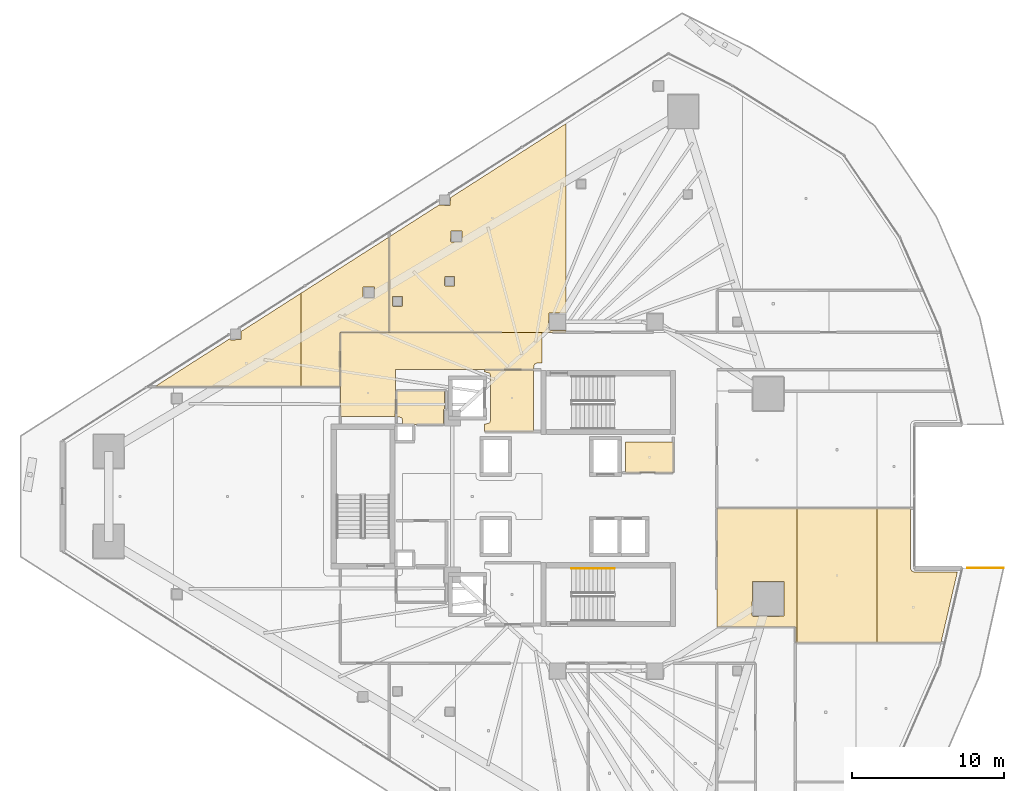
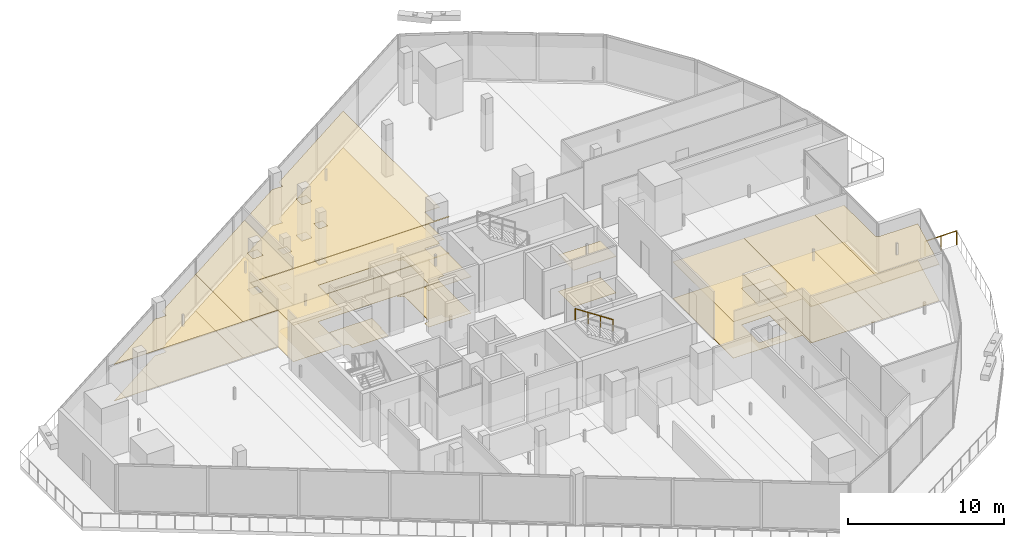
# One storey, part 34 of 36: 19 coverings, 2 railings.
"""IFC4 building model written with IfcOpenShell, lengths in metres."""

from ifc_helpers import new_model, si_unit, direction, frame, origin, origin_2d, place, context, subcontext, project, spatial, polyline, circle, outline, extrude, material, layer, layer_set, type_object, element, save


model = new_model("IFC4")

# Units and contexts
model_context = context("Model", 3, precision=1e-05, world=origin(), true_north=direction((0.0, 1.0)))
body_context = subcontext(model_context, "Body", "Model", "MODEL_VIEW")
ifc_project = project(units=[si_unit("LENGTHUNIT", "METRE"), si_unit("AREAUNIT", "SQUARE_METRE"), si_unit("VOLUMEUNIT", "CUBIC_METRE"), si_unit("PLANEANGLEUNIT", "RADIAN"), si_unit("MASSUNIT", "GRAM", prefix="KILO")], contexts=[model_context])

# Site, building, storey
site_placement = place(None, origin())
site = spatial("IfcSite", under=ifc_project, at=site_placement, CompositionType="ELEMENT")
building_placement = place(site_placement, origin())
building = spatial("IfcBuilding", under=site, at=building_placement, Name="Qorvath Tower", CompositionType="ELEMENT")
storey_placement = place(building_placement, frame((0.0, 0.0, 170.550048828125)))
storey = spatial("IfcBuildingStorey", under=building, at=storey_placement, Name="L39", CompositionType="ELEMENT", Elevation=170.550048828125)

# Coverings
ifc_material_1 = material(Name="Acoustic mineral fibre ceiling tile", Category="gypsum")
ifc_layer_1 = layer(ifc_material_1, 0.030029296875)
ifc_layer_set_1 = layer_set([ifc_layer_1], Name="COV-CEIL")
covering_type_1 = type_object("IfcCoveringType", Name="COV-CEIL", PredefinedType="CEILING", material=ifc_layer_set_1)
covering_1_placement = place(storey_placement, frame((0.0, 0.0, 2.849853515625)))
element("IfcCovering", 1, at=covering_1_placement, inside=storey, type_object=covering_type_1, Name="L39 Suspended Acoustic Ceiling 001", PredefinedType="CEILING", context=body_context, shape_type="SweptSolid", body=[
    extrude(outline(polyline([(-25.18994140625, 4.2548828125), (-25.18994140625, 8.294921875), (-28.375, 8.294921875), (-28.375, 8.159912109375), (-28.063232421875, 8.086669921875), (-27.989990234375, 7.909912109375), (-27.989990234375, 4.989990234375), (-28.063232421875, 4.813232421875), (-28.375, 4.739990234375), (-28.375, 4.2548828125), (-25.18994140625, 4.2548828125)])), origin(), (0.0, 0.0, 1.0), 0.030029296875),
])
covering_2_placement = place(storey_placement, frame((0.0, 0.0, 2.849853515625)))
element("IfcCovering", 2, at=covering_2_placement, inside=storey, type_object=covering_type_1, Name="L39 Suspended Acoustic Ceiling 003", PredefinedType="CEILING", context=body_context, shape_type="SweptSolid", body=[
    extrude(outline(polyline([(-16.0048828125, 3.56005859375), (-19.139892578125, 3.56005859375), (-19.139892578125, 1.56494140625), (-16.0048828125, 1.56494140625), (-16.0048828125, 3.56005859375)])), origin(), (0.0, 0.0, 1.0), 0.030029296875),
])
covering_3_placement = place(storey_placement, frame((0.0, 0.0, 2.849853515625)))
element("IfcCovering", 3, at=covering_3_placement, inside=storey, type_object=covering_type_1, Name="L39 Suspended Acoustic Ceiling 008", PredefinedType="CEILING", context=body_context, shape_type="SweptSolid", body=[
    extrude(outline(polyline([(-24.621826171875, 8.75), (-24.621826171875, 10.7451171875), (-37.844970703125, 10.7451171875), (-37.844970703125, 5.239990234375), (-34.2509765625, 5.239990234375), (-34.219970703125, 8.324951171875), (-25.18994140625, 8.324951171875), (-25.11669921875, 8.6767578125), (-24.93994140625, 8.75), (-24.621826171875, 8.75)])), origin(), (0.0, 0.0, 1.0), 0.030029296875),
])
covering_4_placement = place(storey_placement, frame((0.0, 0.0, 2.849853515625)))
element("IfcCovering", 4, at=covering_4_placement, inside=storey, type_object=covering_type_1, Name="L39 Suspended Acoustic Ceiling 010", PredefinedType="CEILING", context=body_context, shape_type="SweptSolid", body=[
    extrude(outline(polyline([(-23.052978515625, 10.762939453125), (-23.052978515625, 10.88232421875), (-24.125, 10.864990234375), (-24.18505859375, 10.925048828125), (-24.16748046875, 12.017333984375), (-23.052978515625, 12.017333984375), (-23.052978515625, 24.4482421875), (-30.631103515625, 19.5947265625), (-30.648681640625, 19.093017578125), (-31.39013671875, 19.108642578125), (-34.64501953125, 17.0283203125), (-34.64501953125, 10.762939453125), (-23.052978515625, 10.762939453125)]), holes=[polyline([(-30.60986328125, 16.734619140625), (-30.59228515625, 17.427001953125), (-29.857421875, 17.427001953125), (-29.857421875, 16.692138671875), (-30.5498046875, 16.674560546875), (-30.60986328125, 16.734619140625)]), polyline([(-31.01220703125, 13.849365234375), (-30.99462890625, 14.441650390625), (-30.35986328125, 14.441650390625), (-30.35986328125, 13.806884765625), (-30.9521484375, 13.789306640625), (-31.01220703125, 13.849365234375)]), polyline([(-34.439208984375, 12.517578125), (-34.421630859375, 13.10986328125), (-33.786865234375, 13.10986328125), (-33.786865234375, 12.47509765625), (-34.379150390625, 12.45751953125), (-34.439208984375, 12.517578125)])]), origin(), (0.0, 0.0, 1.0), 0.030029296875),
])
covering_5_placement = place(storey_placement, frame((0.0, 0.0, 2.849853515625)))
element("IfcCovering", 5, at=covering_5_placement, inside=storey, type_object=covering_type_1, Name="L39 Suspended Acoustic Ceiling 024", PredefinedType="CEILING", context=body_context, shape_type="SweptSolid", body=[
    extrude(outline(polyline([(-7.8798828125, -9.58837890625), (-7.8798828125, -0.7939453125), (-13.136962890625, -0.7939453125), (-13.136962890625, -8.56689453125), (-7.991943359375, -8.56689453125), (-7.987060546875, -9.58837890625), (-7.8798828125, -9.58837890625)]), holes=[polyline([(-10.830322265625, -7.8212890625), (-10.812744140625, -5.578857421875), (-8.727783203125, -5.578857421875), (-8.727783203125, -7.86376953125), (-10.770263671875, -7.88134765625), (-10.830322265625, -7.8212890625)])]), origin(), (0.0, 0.0, 1.0), 0.030029296875),
])
covering_6_placement = place(storey_placement, frame((0.0, 0.0, 2.849853515625)))
element("IfcCovering", 6, at=covering_6_placement, inside=storey, type_object=covering_type_1, Name="L39 Suspended Acoustic Ceiling 025", PredefinedType="CEILING", context=body_context, shape_type="SweptSolid", body=[
    extrude(outline(polyline([(-2.62255859375, -9.58837890625), (-2.62255859375, -0.7939453125), (-7.8798828125, -0.7939453125), (-7.8798828125, -9.58837890625), (-2.62255859375, -9.58837890625)])), origin(), (0.0, 0.0, 1.0), 0.030029296875),
])
covering_7_placement = place(storey_placement, frame((0.0, 0.0, 2.849853515625)))
element("IfcCovering", 7, at=covering_7_placement, inside=storey, type_object=covering_type_1, Name="L39 Suspended Acoustic Ceiling 026", PredefinedType="CEILING", context=body_context, shape_type="SweptSolid", body=[
    extrude(outline(polyline([(-0.3466796875, -4.904541015625), (-0.43408203125, -4.757568359375), (-0.438720703125, -0.7939453125), (-2.62255859375, -0.7939453125), (-2.62255859375, -9.58837890625), (1.5625, -9.58837890625), (2.634521484375, -4.9638671875), (-0.208251953125, -4.962646484375), (-0.3466796875, -4.904541015625)])), origin(), (0.0, 0.0, 1.0), 0.030029296875),
])
covering_8_placement = place(storey_placement, frame((0.0, 0.0, 2.849853515625)))
element("IfcCovering", 8, at=covering_8_placement, inside=storey, type_object=covering_type_1, Name="L39 Suspended Acoustic Ceiling 036", PredefinedType="CEILING", context=body_context, shape_type="SweptSolid", body=[
    extrude(outline(polyline([(-40.43115234375, 7.203125), (-40.43115234375, 13.330322265625), (-44.351318359375, 10.82470703125), (-44.368896484375, 10.284912109375), (-45.061279296875, 10.267333984375), (-45.121337890625, 10.33251953125), (-50.017578125, 7.203369140625), (-40.43115234375, 7.203125)])), origin(), (0.0, 0.0, 1.0), 0.030029296875),
])
covering_9_placement = place(storey_placement, frame((0.0, 0.0, 2.849853515625)))
element("IfcCovering", 9, at=covering_9_placement, inside=storey, type_object=covering_type_1, Name="L39 Suspended Acoustic Ceiling 037", PredefinedType="CEILING", context=body_context, shape_type="SweptSolid", body=[
    extrude(outline(polyline([(-34.6630859375, 10.762939453125), (-34.6630859375, 17.016845703125), (-40.43115234375, 13.330322265625), (-40.43115234375, 7.203125), (-37.863037109375, 7.202880859375), (-37.861572265625, 10.761474609375), (-34.6630859375, 10.762939453125)]), holes=[polyline([(-36.36572265625, 13.055908203125), (-36.34814453125, 13.748291015625), (-35.61328125, 13.748291015625), (-35.61328125, 13.013427734375), (-36.3056640625, 12.995849609375), (-36.36572265625, 13.055908203125)])]), origin(), (0.0, 0.0, 1.0), 0.030029296875),
])
ifc_material_2 = material(Name="Low-VOC modular carpet tile", Category="textile")
ifc_layer_2 = layer(ifc_material_2, 0.014892578125)
ifc_layer_set_2 = layer_set([ifc_layer_2], Name="COV-FLOOR-CPT")
covering_type_2 = type_object("IfcCoveringType", Name="COV-FLOOR-CPT", PredefinedType="FLOORING", material=ifc_layer_set_2)
covering_10_placement = place(storey_placement, origin())
element("IfcCovering", 10, at=covering_10_placement, inside=storey, type_object=covering_type_2, Name="L39 Floor Finish 003", PredefinedType="FLOORING", context=body_context, shape_type="SweptSolid", body=[
    extrude(outline(polyline([(-16.0048828125, 3.56005859375), (-19.139892578125, 3.56005859375), (-19.139892578125, 1.56494140625), (-16.0048828125, 1.56494140625), (-16.0048828125, 3.56005859375)])), origin(), (0.0, 0.0, 1.0), 0.014892578125),
])
covering_11_placement = place(storey_placement, origin())
element("IfcCovering", 11, at=covering_11_placement, inside=storey, type_object=covering_type_2, Name="L39 Floor Finish 010", PredefinedType="FLOORING", context=body_context, shape_type="SweptSolid", body=[
    extrude(outline(polyline([(-23.052978515625, 10.762939453125), (-23.052978515625, 10.88232421875), (-24.125, 10.864990234375), (-24.18505859375, 10.925048828125), (-24.16748046875, 12.017333984375), (-23.052978515625, 12.017333984375), (-23.052978515625, 24.4482421875), (-30.631103515625, 19.5947265625), (-30.648681640625, 19.093017578125), (-31.39013671875, 19.108642578125), (-34.64501953125, 17.0283203125), (-34.64501953125, 10.762939453125), (-23.052978515625, 10.762939453125)]), holes=[polyline([(-30.60986328125, 16.734619140625), (-30.59228515625, 17.427001953125), (-29.857421875, 17.427001953125), (-29.857421875, 16.692138671875), (-30.5498046875, 16.674560546875), (-30.60986328125, 16.734619140625)]), polyline([(-31.01220703125, 13.849365234375), (-30.99462890625, 14.441650390625), (-30.35986328125, 14.441650390625), (-30.35986328125, 13.806884765625), (-30.9521484375, 13.789306640625), (-31.01220703125, 13.849365234375)]), polyline([(-34.439208984375, 12.517578125), (-34.421630859375, 13.10986328125), (-33.786865234375, 13.10986328125), (-33.786865234375, 12.47509765625), (-34.379150390625, 12.45751953125), (-34.439208984375, 12.517578125)])]), origin(), (0.0, 0.0, 1.0), 0.014892578125),
])
covering_12_placement = place(storey_placement, origin())
element("IfcCovering", 12, at=covering_12_placement, inside=storey, type_object=covering_type_2, Name="L39 Floor Finish 024", PredefinedType="FLOORING", context=body_context, shape_type="SweptSolid", body=[
    extrude(outline(polyline([(-7.8798828125, -9.58837890625), (-7.8798828125, -0.7939453125), (-13.136962890625, -0.7939453125), (-13.136962890625, -8.56689453125), (-7.991943359375, -8.56689453125), (-7.987060546875, -9.58837890625), (-7.8798828125, -9.58837890625)]), holes=[polyline([(-10.830322265625, -7.8212890625), (-10.812744140625, -5.578857421875), (-8.727783203125, -5.578857421875), (-8.727783203125, -7.86376953125), (-10.770263671875, -7.88134765625), (-10.830322265625, -7.8212890625)])]), origin(), (0.0, 0.0, 1.0), 0.014892578125),
])
covering_13_placement = place(storey_placement, origin())
element("IfcCovering", 13, at=covering_13_placement, inside=storey, type_object=covering_type_2, Name="L39 Floor Finish 025", PredefinedType="FLOORING", context=body_context, shape_type="SweptSolid", body=[
    extrude(outline(polyline([(-2.62255859375, -9.58837890625), (-2.62255859375, -0.7939453125), (-7.8798828125, -0.7939453125), (-7.8798828125, -9.58837890625), (-2.62255859375, -9.58837890625)])), origin(), (0.0, 0.0, 1.0), 0.014892578125),
])
covering_14_placement = place(storey_placement, origin())
element("IfcCovering", 14, at=covering_14_placement, inside=storey, type_object=covering_type_2, Name="L39 Floor Finish 026", PredefinedType="FLOORING", context=body_context, shape_type="SweptSolid", body=[
    extrude(outline(polyline([(-0.3466796875, -4.904541015625), (-0.43408203125, -4.757568359375), (-0.438720703125, -0.7939453125), (-2.62255859375, -0.7939453125), (-2.62255859375, -9.58837890625), (1.5625, -9.58837890625), (2.634521484375, -4.9638671875), (-0.208251953125, -4.962646484375), (-0.3466796875, -4.904541015625)])), origin(), (0.0, 0.0, 1.0), 0.014892578125),
])
covering_15_placement = place(storey_placement, origin())
element("IfcCovering", 15, at=covering_15_placement, inside=storey, type_object=covering_type_2, Name="L39 Floor Finish 036", PredefinedType="FLOORING", context=body_context, shape_type="SweptSolid", body=[
    extrude(outline(polyline([(-40.43115234375, 7.203125), (-40.43115234375, 13.330322265625), (-44.351318359375, 10.82470703125), (-44.368896484375, 10.284912109375), (-45.061279296875, 10.267333984375), (-45.121337890625, 10.33251953125), (-50.017578125, 7.203369140625), (-40.43115234375, 7.203125)])), origin(), (0.0, 0.0, 1.0), 0.014892578125),
])
covering_16_placement = place(storey_placement, origin())
element("IfcCovering", 16, at=covering_16_placement, inside=storey, type_object=covering_type_2, Name="L39 Floor Finish 037", PredefinedType="FLOORING", context=body_context, shape_type="SweptSolid", body=[
    extrude(outline(polyline([(-34.6630859375, 10.762939453125), (-34.6630859375, 17.016845703125), (-40.43115234375, 13.330322265625), (-40.43115234375, 7.203125), (-37.863037109375, 7.202880859375), (-37.861572265625, 10.761474609375), (-34.6630859375, 10.762939453125)]), holes=[polyline([(-36.36572265625, 13.055908203125), (-36.34814453125, 13.748291015625), (-35.61328125, 13.748291015625), (-35.61328125, 13.013427734375), (-36.3056640625, 12.995849609375), (-36.36572265625, 13.055908203125)])]), origin(), (0.0, 0.0, 1.0), 0.014892578125),
])
ifc_material_3 = material(Name="Polished epoxy terrazzo flooring", Category="concrete")
ifc_layer_3 = layer(ifc_material_3, 0.02001953125)
ifc_layer_set_3 = layer_set([ifc_layer_3], Name="COV-FLOOR-TRZ")
covering_type_3 = type_object("IfcCoveringType", Name="COV-FLOOR-TRZ", PredefinedType="FLOORING", material=ifc_layer_set_3)
covering_17_placement = place(storey_placement, origin())
element("IfcCovering", 17, at=covering_17_placement, inside=storey, type_object=covering_type_3, Name="L39 Floor Finish 001", PredefinedType="FLOORING", context=body_context, shape_type="SweptSolid", body=[
    extrude(outline(polyline([(-25.18994140625, 4.2548828125), (-25.18994140625, 8.294921875), (-28.375, 8.294921875), (-28.375, 8.159912109375), (-28.063232421875, 8.086669921875), (-27.989990234375, 7.909912109375), (-27.989990234375, 4.989990234375), (-28.063232421875, 4.813232421875), (-28.375, 4.739990234375), (-28.375, 4.2548828125), (-25.18994140625, 4.2548828125)])), origin(), (0.0, 0.0, 1.0), 0.014892578125),
])
covering_18_placement = place(storey_placement, origin())
element("IfcCovering", 18, at=covering_18_placement, inside=storey, type_object=covering_type_3, Name="L39 Floor Finish 004", PredefinedType="FLOORING", context=body_context, shape_type="SweptSolid", body=[
    extrude(outline(polyline([(-31.010009765625, 6.945068359375), (-34.175048828125, 6.945068359375), (-34.175048828125, 5.239990234375), (-33.833251953125, 5.166748046875), (-33.760009765625, 4.989990234375), (-33.760009765625, 4.705078125), (-31.0849609375, 4.705078125), (-31.0849609375, 5.675048828125), (-31.02490234375, 5.735107421875), (-31.010009765625, 6.945068359375)])), origin(), (0.0, 0.0, 1.0), 0.014892578125),
])
covering_19_placement = place(storey_placement, origin())
element("IfcCovering", 19, at=covering_19_placement, inside=storey, type_object=covering_type_3, Name="L39 Floor Finish 008", PredefinedType="FLOORING", context=body_context, shape_type="SweptSolid", body=[
    extrude(outline(polyline([(-24.621826171875, 8.75), (-24.621826171875, 10.7451171875), (-37.844970703125, 10.7451171875), (-37.844970703125, 5.239990234375), (-34.2509765625, 5.239990234375), (-34.219970703125, 8.324951171875), (-25.18994140625, 8.324951171875), (-25.11669921875, 8.6767578125), (-24.93994140625, 8.75), (-24.621826171875, 8.75)])), origin(), (0.0, 0.0, 1.0), 0.014892578125),
])

# Railings
ifc_material_4 = material(Name="Laminated safety glass and stainless steel AISI 316", Category="steel")
railing_type_1 = type_object("IfcRailingType", Name="RL-EXT-GRD", PredefinedType="GUARDRAIL", material=ifc_material_4)
railing_1_placement = place(storey_placement, frame((3.304931640625, -4.708740234375, 0.0)))
element("IfcRailing", 20, at=railing_1_placement, inside=storey, type_object=railing_type_1, Name="Loggia Perimeter Guardrail L39-1.2", PredefinedType="GUARDRAIL", context=body_context, shape_type="SweptSolid", body=[
    extrude(circle(Radius=0.02392578125, at=origin_2d()), frame((0.0, 0.0, 1.09619140625), z_axis=(1.0, 0.0, 0.0), x_axis=(0.0, 1.0, 0.0)), (0.0, 0.0, 1.0), 2.36669921875),
    extrude(circle(Radius=0.02099609375, at=origin_2d()), origin(), (0.0, 0.0, 1.0), 1.072021484375),
    extrude(circle(Radius=0.02099609375, at=origin_2d()), frame((1.183349609375, 0.0, 0.0)), (0.0, 0.0, 1.0), 1.072021484375),
    extrude(circle(Radius=0.02099609375, at=origin_2d()), frame((2.36669921875, 0.0, 0.0)), (0.0, 0.0, 1.0), 1.072021484375),
])
ifc_material_5 = material(Name="Brushed stainless steel AISI 304", Category="steel")
railing_type_2 = type_object("IfcRailingType", Name="RL-STR-HND", PredefinedType="HANDRAIL", material=ifc_material_5)
railing_2_placement = place(storey_placement, frame((-19.8701171875, -4.739990234375, 2.208984375)))
element("IfcRailing", 21, at=railing_2_placement, inside=storey, type_object=railing_type_2, Name="L39 TS2 stair handrail 2", PredefinedType="HANDRAIL", context=body_context, shape_type="SweptSolid", body=[
    extrude(circle(Radius=0.02392578125, at=origin_2d()), frame((0.0, 0.0, 0.8759765625), z_axis=(-0.835542071712, 0.0, 0.549426470421), x_axis=(0.0, -1.0, 0.0)), (0.0, 0.0, 1.0), 3.350830078125),
    extrude(circle(Radius=0.02099609375, at=origin_2d()), origin(), (0.0, 0.0, 1.0), 0.851806640625),
    extrude(circle(Radius=0.02099609375, at=origin_2d()), frame((-0.933349609375, 0.0, 0.61376953125)), (0.0, 0.0, 1.0), 0.851806640625),
    extrude(circle(Radius=0.02099609375, at=origin_2d()), frame((-1.866455078125, 0.0, 1.227294921875)), (0.0, 0.0, 1.0), 0.851806640625),
    extrude(circle(Radius=0.02099609375, at=origin_2d()), frame((-2.7998046875, 0.0, 1.841064453125)), (0.0, 0.0, 1.0), 0.851806640625),
])

save(model, "model.ifc")
